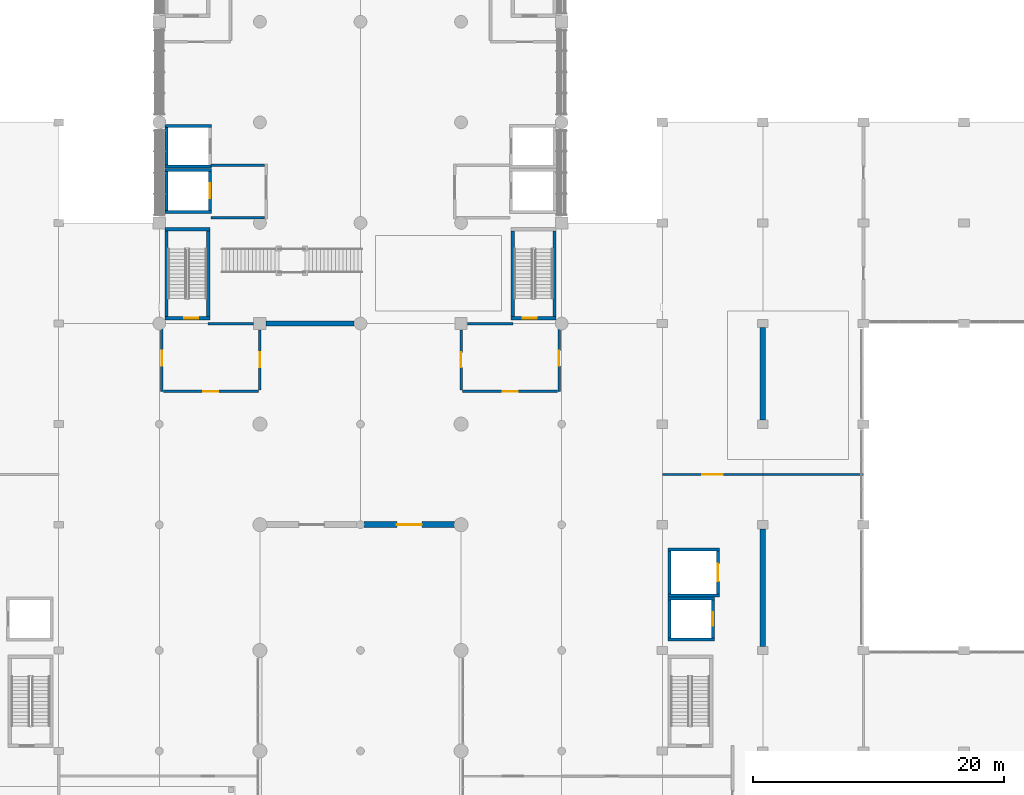
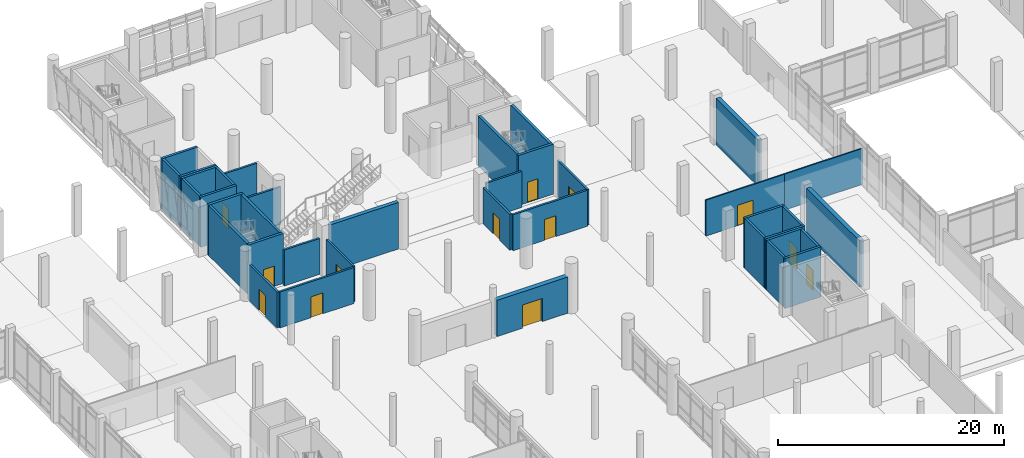
# One storey, part 26 of 42: 38 walls, 13 doors, 13 openings.
"""IFC4 building model written with IfcOpenShell, lengths in metres."""

from ifc_helpers import new_model, si_unit, direction, frame, frame_2d, origin, place, context, subcontext, project, spatial, rectangle, extrude, material, layer, layer_set, type_object, element, fill, save


model = new_model("IFC4")

# Units and contexts
model_context = context("Model", 3, precision=1e-05, world=origin(), true_north=direction((0.0, 1.0)))
body_context = subcontext(model_context, "Body", "Model", "MODEL_VIEW")
ifc_project = project(units=[si_unit("LENGTHUNIT", "METRE"), si_unit("AREAUNIT", "SQUARE_METRE"), si_unit("VOLUMEUNIT", "CUBIC_METRE"), si_unit("PLANEANGLEUNIT", "RADIAN"), si_unit("MASSUNIT", "GRAM", prefix="KILO")], contexts=[model_context])

# Site, building, storey
site_placement = place(None, origin())
site = spatial("IfcSite", under=ifc_project, at=site_placement, CompositionType="ELEMENT")
building_placement = place(site_placement, origin())
building = spatial("IfcBuilding", under=site, at=building_placement, Name="Pecanmere Concourse Central Library", CompositionType="ELEMENT")
storey_placement = place(building_placement, origin())
storey = spatial("IfcBuildingStorey", under=building, at=storey_placement, Name="L01", CompositionType="ELEMENT", Elevation=0.0)

# Wall, opening, door
ifc_material_1 = material(Name="Texas sunset granite ashlar", Category="masonry")
ifc_layer_1 = layer(ifc_material_1, 0.47998046875, Name="EW_GRAN_480")
ifc_layer_set_1 = layer_set([ifc_layer_1], Name="Texas sunset granite ashlar")
wall_type_1 = type_object("IfcWallType", Name="EW_GRAN_480", PredefinedType="STANDARD", material=ifc_layer_set_1)
wall_1_placement = place(storey_placement, frame((88.279052734375, 74.0, 0.0), z_axis=(0.0, 0.0, 1.0), x_axis=(1.0, 0.0, 0.0)))
wall_1 = element("IfcWall", 1, at=wall_1_placement, inside=storey, type_object=wall_type_1, Name="Limestone Facade Wall L01-0007", PredefinedType="STANDARD", context=body_context, shape_type="SweptSolid", body=[
    extrude(rectangle(XDim=7.217041015625, YDim=0.47998046875, at=frame_2d((3.6083984375, 0.0))), origin(), (0.0, 0.0, 1.0), 3.909912109375),
])
opening_1_placement = place(wall_1_placement, frame((2.6083984375, 0.0, 0.0)))
opening_1 = element("IfcOpeningElement", 2, at=opening_1_placement, cuts=wall_1, Name="Opening ED-02", PredefinedType="OPENING", context=body_context, shape_type="SweptSolid", body=[
    extrude(rectangle(XDim=2.0, YDim=2.5, at=frame_2d((1.0, 1.25))), frame((0.0, 0.251953125, 0.0), z_axis=(0.0, -1.0, 0.0), x_axis=(1.0, 0.0, 0.0)), (0.0, 0.0, 1.0), 0.50390625),
])
ifc_material_2 = material(Name="Architectural anodized bronze")
door_type_1 = type_object("IfcDoorType", Name="ED-02", OperationType="DOUBLE_DOOR_SINGLE_SWING", PredefinedType="DOOR", material=ifc_material_2)
door_1_placement = place(opening_1_placement, frame((2.0, 0.0, 0.0), z_axis=(0.0, 0.0, 1.0), x_axis=(-1.0, 0.0, 0.0)))
door_1 = element("IfcDoor", 3, at=door_1_placement, inside=storey, type_object=door_type_1, Name="ED-007", OperationType="DOUBLE_DOOR_SINGLE_SWING", OverallHeight=2.5, OverallWidth=2.0, PredefinedType="DOOR", context=body_context, shape_type="SweptSolid", body=[
    extrude(rectangle(XDim=2.0, YDim=2.5, at=frame_2d((1.0, 1.25))), frame((0.0, 0.02490234375, 0.0), z_axis=(0.0, -1.0, 0.0), x_axis=(1.0, 0.0, 0.0)), (0.0, 0.0, 1.0), 0.050048828125),
])
fill(opening_1, door_1)

ifc_material_3 = material(Name="Fire-rated gypsum board on acoustic steel stud", Category="steel")
ifc_layer_2 = layer(ifc_material_3, 0.135009765625, Name="IW_PART_135")
ifc_layer_set_2 = layer_set([ifc_layer_2], Name="Fire-rated gypsum board on acoustic steel stud")
wall_type_2 = type_object("IfcWallType", Name="IW_PART_135", PredefinedType="PARTITIONING", material=ifc_layer_set_2)
wall_2_placement = place(storey_placement, frame((112.0, 78.0, 0.0), z_axis=(0.0, 0.0, 1.0), x_axis=(1.0, 0.0, 0.0)))
wall_2 = element("IfcWall", 4, at=wall_2_placement, inside=storey, type_object=wall_type_2, Name="Interior Partition L01-0112", PredefinedType="PARTITIONING", context=body_context, shape_type="SweptSolid", body=[
    extrude(rectangle(XDim=8.0, YDim=0.135009765625, at=frame_2d((4.0, 0.0))), origin(), (0.0, 0.0, 1.0), 3.8798828125),
])
opening_2_placement = place(wall_2_placement, frame((3.199951171875, 0.0, 0.0)))
opening_2 = element("IfcOpeningElement", 5, at=opening_2_placement, cuts=wall_2, Name="Opening DT-02", PredefinedType="OPENING", context=body_context, shape_type="SweptSolid", body=[
    extrude(rectangle(XDim=1.60009765625, YDim=2.199951171875, at=frame_2d((0.800048828125, 1.10009765625))), frame((0.0, 0.07958984375, 0.0), z_axis=(0.0, -1.0, 0.0), x_axis=(1.0, 0.0, 0.0)), (0.0, 0.0, 1.0), 0.158935546875),
])
ifc_material_4 = material(Name="Solid white oak architectural joinery")
door_type_2 = type_object("IfcDoorType", Name="DT-02", OperationType="DOUBLE_DOOR_SINGLE_SWING", PredefinedType="DOOR", material=ifc_material_4)
door_2_placement = place(opening_2_placement, origin())
door_2 = element("IfcDoor", 6, at=door_2_placement, inside=storey, type_object=door_type_2, Name="D-176", OperationType="DOUBLE_DOOR_SINGLE_SWING", OverallHeight=2.199951171875, OverallWidth=1.60009765625, PredefinedType="DOOR", context=body_context, shape_type="SweptSolid", body=[
    extrude(rectangle(XDim=1.60009765625, YDim=2.199951171875, at=frame_2d((0.800048828125, 1.10009765625))), frame((0.0, 0.02490234375, 0.0), z_axis=(0.0, -1.0, 0.0), x_axis=(1.0, 0.0, 0.0)), (0.0, 0.0, 1.0), 0.050048828125),
])
fill(opening_2, door_2)

# Walls
wall_3_placement = place(storey_placement, frame((120.02001953125, 78.0, 0.0), z_axis=(0.0, 0.0, 1.0), x_axis=(1.0, 0.0, 0.0)))
element("IfcWall", 7, at=wall_3_placement, inside=storey, type_object=wall_type_2, Name="Interior Partition L01-0113", PredefinedType="PARTITIONING", context=body_context, shape_type="SweptSolid", body=[
    extrude(rectangle(XDim=7.97998046875, YDim=0.135009765625, at=frame_2d((3.989990234375, 0.0))), origin(), (0.0, 0.0, 1.0), 3.8798828125),
])
ifc_material_5 = material(Name="Fire-rated gypsum board on acoustic steel stud", Category="steel")
ifc_layer_3 = layer(ifc_material_5, 0.199951171875, Name="IW_PART_200")
ifc_layer_set_3 = layer_set([ifc_layer_3], Name="Fire-rated gypsum board on acoustic steel stud")
wall_type_3 = type_object("IfcWallType", Name="IW_PART_200", PredefinedType="PARTITIONING", material=ifc_layer_set_3)
for number, where, z_axis, x_axis, name in (
    (8, (76.10009765625, 98.39990234375, 0.0), (0.0, 0.0, 1.0), (1.0, 0.0, 0.0), "Firefighting Lobby Wall W-L01-S"),
    (9, (76.10009765625, 102.60009765625, 0.0), (0.0, 0.0, 1.0), (1.0, 0.0, 0.0), "Firefighting Lobby Wall W-L01-N"),
):
    element("IfcWall", number, at=place(storey_placement, frame(where, z_axis=z_axis, x_axis=x_axis)), inside=storey, type_object=wall_type_3, Name=name, PredefinedType="PARTITIONING", context=body_context, shape_type="SweptSolid", body=[
        extrude(rectangle(XDim=4.27978515625, YDim=0.199951171875, at=frame_2d((2.139892578125, 0.0))), origin(), (0.0, 0.0, 1.0), 4.050048828125),
    ])

# Wall, opening, door
wall_4_placement = place(storey_placement, frame((72.199951171875, 84.60009765625, 0.0), z_axis=(0.0, 0.0, 1.0), x_axis=(0.0, 1.0, 0.0)))
wall_4 = element("IfcWall", 10, at=wall_4_placement, inside=storey, type_object=wall_type_3, Name="Interior Partition L01-0072", PredefinedType="PARTITIONING", context=body_context, shape_type="SweptSolid", body=[
    extrude(rectangle(XDim=5.27978515625, YDim=0.199951171875, at=frame_2d((2.639892578125, 0.0))), origin(), (0.0, 0.0, 1.0), 3.8798828125),
])
opening_3_placement = place(wall_4_placement, frame((2.0400390625, 0.0, 0.0)))
opening_3 = element("IfcOpeningElement", 11, at=opening_3_placement, cuts=wall_4, Name="Opening FD-04", PredefinedType="OPENING", context=body_context, shape_type="SweptSolid", body=[
    extrude(rectangle(XDim=1.199951171875, YDim=2.25, at=frame_2d((0.60009765625, 1.125))), frame((0.0, 0.11181640625, 0.0), z_axis=(0.0, -1.0, 0.0), x_axis=(1.0, 0.0, 0.0)), (0.0, 0.0, 1.0), 0.223876953125),
])
ifc_material_6 = material(Name="Painted architectural steel ASTM A36", Category="steel")
door_type_3 = type_object("IfcDoorType", Name="FD-04", OperationType="SINGLE_SWING_LEFT", PredefinedType="DOOR", material=ifc_material_6)
door_3_placement = place(opening_3_placement, origin())
door_3 = element("IfcDoor", 12, at=door_3_placement, inside=storey, type_object=door_type_3, Name="D-154", OperationType="SINGLE_SWING_LEFT", OverallHeight=2.25, OverallWidth=1.199951171875, PredefinedType="DOOR", context=body_context, shape_type="SweptSolid", body=[
    extrude(rectangle(XDim=1.199951171875, YDim=2.25, at=frame_2d((0.60009765625, 1.125))), frame((0.0, 0.02490234375, 0.0), z_axis=(0.0, -1.0, 0.0), x_axis=(1.0, 0.0, 0.0)), (0.0, 0.0, 1.0), 0.050048828125),
])
fill(opening_3, door_3)

wall_5_placement = place(storey_placement, frame((72.320068359375, 84.60009765625, 0.0), z_axis=(0.0, 0.0, 1.0), x_axis=(1.0, 0.0, 0.0)))
wall_5 = element("IfcWall", 13, at=wall_5_placement, inside=storey, type_object=wall_type_3, Name="Interior Partition L01-0073", PredefinedType="PARTITIONING", context=body_context, shape_type="SweptSolid", body=[
    extrude(rectangle(XDim=7.559814453125, YDim=0.199951171875, at=frame_2d((3.77978515625, 0.0))), origin(), (0.0, 0.0, 1.0), 3.8798828125),
])
opening_4_placement = place(wall_5_placement, frame((3.179931640625, 0.0, 0.0)))
opening_4 = element("IfcOpeningElement", 14, at=opening_4_placement, cuts=wall_5, Name="Opening FD-04", PredefinedType="OPENING", context=body_context, shape_type="SweptSolid", body=[
    extrude(rectangle(XDim=1.199951171875, YDim=2.25, at=frame_2d((0.60009765625, 1.125))), frame((0.0, 0.11181640625, 0.0), z_axis=(0.0, -1.0, 0.0), x_axis=(1.0, 0.0, 0.0)), (0.0, 0.0, 1.0), 0.223876953125),
])
door_4_placement = place(opening_4_placement, frame((1.199951171875, 0.0, 0.0), z_axis=(0.0, 0.0, 1.0), x_axis=(-1.0, 0.0, 0.0)))
door_4 = element("IfcDoor", 15, at=door_4_placement, inside=storey, type_object=door_type_3, Name="D-155", OperationType="SINGLE_SWING_LEFT", OverallHeight=2.25, OverallWidth=1.199951171875, PredefinedType="DOOR", context=body_context, shape_type="SweptSolid", body=[
    extrude(rectangle(XDim=1.199951171875, YDim=2.25, at=frame_2d((0.60009765625, 1.125))), frame((0.0, 0.02490234375, 0.0), z_axis=(0.0, -1.0, 0.0), x_axis=(1.0, 0.0, 0.0)), (0.0, 0.0, 1.0), 0.050048828125),
])
fill(opening_4, door_4)

wall_6_placement = place(storey_placement, frame((80.0, 84.719970703125, 0.0), z_axis=(0.0, 0.0, 1.0), x_axis=(0.0, 1.0, 0.0)))
wall_6 = element("IfcWall", 16, at=wall_6_placement, inside=storey, type_object=wall_type_3, Name="Interior Partition L01-0074", PredefinedType="PARTITIONING", context=body_context, shape_type="SweptSolid", body=[
    extrude(rectangle(XDim=4.780029296875, YDim=0.199951171875, at=frame_2d((2.39013671875, 0.0))), origin(), (0.0, 0.0, 1.0), 3.8798828125),
])
opening_5_placement = place(wall_6_placement, frame((1.7900390625, 0.0, 0.0)))
opening_5 = element("IfcOpeningElement", 17, at=opening_5_placement, cuts=wall_6, Name="Opening FD-04", PredefinedType="OPENING", context=body_context, shape_type="SweptSolid", body=[
    extrude(rectangle(XDim=1.199951171875, YDim=2.25, at=frame_2d((0.60009765625, 1.125))), frame((0.0, 0.11181640625, 0.0), z_axis=(0.0, -1.0, 0.0), x_axis=(1.0, 0.0, 0.0)), (0.0, 0.0, 1.0), 0.223876953125),
])
door_5_placement = place(opening_5_placement, origin())
door_5 = element("IfcDoor", 18, at=door_5_placement, inside=storey, type_object=door_type_3, Name="D-156", OperationType="SINGLE_SWING_LEFT", OverallHeight=2.25, OverallWidth=1.199951171875, PredefinedType="DOOR", context=body_context, shape_type="SweptSolid", body=[
    extrude(rectangle(XDim=1.199951171875, YDim=2.25, at=frame_2d((0.60009765625, 1.125))), frame((0.0, 0.02490234375, 0.0), z_axis=(0.0, -1.0, 0.0), x_axis=(1.0, 0.0, 0.0)), (0.0, 0.0, 1.0), 0.050048828125),
])
fill(opening_5, door_5)

# Wall
wall_7_placement = place(storey_placement, frame((75.8798828125, 90.0, 0.0), z_axis=(0.0, 0.0, 1.0), x_axis=(1.0, 0.0, 0.0)))
element("IfcWall", 19, at=wall_7_placement, inside=storey, type_object=wall_type_3, Name="Interior Partition L01-0075", PredefinedType="PARTITIONING", context=body_context, shape_type="SweptSolid", body=[
    extrude(rectangle(XDim=3.6201171875, YDim=0.199951171875, at=frame_2d((1.81005859375, 0.0))), origin(), (0.0, 0.0, 1.0), 3.8798828125),
])

# Wall, opening, door
wall_8_placement = place(storey_placement, frame((103.800048828125, 84.60009765625, 0.0), z_axis=(0.0, 0.0, 1.0), x_axis=(0.0, 1.0, 0.0)))
wall_8 = element("IfcWall", 20, at=wall_8_placement, inside=storey, type_object=wall_type_3, Name="Interior Partition L01-0076", PredefinedType="PARTITIONING", context=body_context, shape_type="SweptSolid", body=[
    extrude(rectangle(XDim=5.27978515625, YDim=0.199951171875, at=frame_2d((2.639892578125, 0.0))), origin(), (0.0, 0.0, 1.0), 3.8798828125),
])
opening_6_placement = place(wall_8_placement, frame((2.0400390625, 0.0, 0.0)))
opening_6 = element("IfcOpeningElement", 21, at=opening_6_placement, cuts=wall_8, Name="Opening FD-04", PredefinedType="OPENING", context=body_context, shape_type="SweptSolid", body=[
    extrude(rectangle(XDim=1.199951171875, YDim=2.25, at=frame_2d((0.60009765625, 1.125))), frame((0.0, 0.11181640625, 0.0), z_axis=(0.0, -1.0, 0.0), x_axis=(1.0, 0.0, 0.0)), (0.0, 0.0, 1.0), 0.223876953125),
])
door_6_placement = place(opening_6_placement, frame((1.199951171875, 0.0, 0.0), z_axis=(0.0, 0.0, 1.0), x_axis=(-1.0, 0.0, 0.0)))
door_6 = element("IfcDoor", 22, at=door_6_placement, inside=storey, type_object=door_type_3, Name="D-157", OperationType="SINGLE_SWING_LEFT", OverallHeight=2.25, OverallWidth=1.199951171875, PredefinedType="DOOR", context=body_context, shape_type="SweptSolid", body=[
    extrude(rectangle(XDim=1.199951171875, YDim=2.25, at=frame_2d((0.60009765625, 1.125))), frame((0.0, 0.02490234375, 0.0), z_axis=(0.0, -1.0, 0.0), x_axis=(1.0, 0.0, 0.0)), (0.0, 0.0, 1.0), 0.050048828125),
])
fill(opening_6, door_6)

wall_9_placement = place(storey_placement, frame((96.1201171875, 84.60009765625, 0.0), z_axis=(0.0, 0.0, 1.0), x_axis=(1.0, 0.0, 0.0)))
wall_9 = element("IfcWall", 23, at=wall_9_placement, inside=storey, type_object=wall_type_3, Name="Interior Partition L01-0077", PredefinedType="PARTITIONING", context=body_context, shape_type="SweptSolid", body=[
    extrude(rectangle(XDim=7.559814453125, YDim=0.199951171875, at=frame_2d((3.77978515625, 0.0))), origin(), (0.0, 0.0, 1.0), 3.8798828125),
])
opening_7_placement = place(wall_9_placement, frame((3.179931640625, 0.0, 0.0)))
opening_7 = element("IfcOpeningElement", 24, at=opening_7_placement, cuts=wall_9, Name="Opening FD-04", PredefinedType="OPENING", context=body_context, shape_type="SweptSolid", body=[
    extrude(rectangle(XDim=1.199951171875, YDim=2.25, at=frame_2d((0.60009765625, 1.125))), frame((0.0, 0.11181640625, 0.0), z_axis=(0.0, -1.0, 0.0), x_axis=(1.0, 0.0, 0.0)), (0.0, 0.0, 1.0), 0.223876953125),
])
door_7_placement = place(opening_7_placement, origin())
door_7 = element("IfcDoor", 25, at=door_7_placement, inside=storey, type_object=door_type_3, Name="D-158", OperationType="SINGLE_SWING_LEFT", OverallHeight=2.25, OverallWidth=1.199951171875, PredefinedType="DOOR", context=body_context, shape_type="SweptSolid", body=[
    extrude(rectangle(XDim=1.199951171875, YDim=2.25, at=frame_2d((0.60009765625, 1.125))), frame((0.0, 0.02490234375, 0.0), z_axis=(0.0, -1.0, 0.0), x_axis=(1.0, 0.0, 0.0)), (0.0, 0.0, 1.0), 0.050048828125),
])
fill(opening_7, door_7)

wall_10_placement = place(storey_placement, frame((96.0, 84.719970703125, 0.0), z_axis=(0.0, 0.0, 1.0), x_axis=(0.0, 1.0, 0.0)))
wall_10 = element("IfcWall", 26, at=wall_10_placement, inside=storey, type_object=wall_type_3, Name="Interior Partition L01-0078", PredefinedType="PARTITIONING", context=body_context, shape_type="SweptSolid", body=[
    extrude(rectangle(XDim=4.780029296875, YDim=0.199951171875, at=frame_2d((2.39013671875, 0.0))), origin(), (0.0, 0.0, 1.0), 3.8798828125),
])
opening_8_placement = place(wall_10_placement, frame((1.7900390625, 0.0, 0.0)))
opening_8 = element("IfcOpeningElement", 27, at=opening_8_placement, cuts=wall_10, Name="Opening FD-04", PredefinedType="OPENING", context=body_context, shape_type="SweptSolid", body=[
    extrude(rectangle(XDim=1.199951171875, YDim=2.25, at=frame_2d((0.60009765625, 1.125))), frame((0.0, 0.11181640625, 0.0), z_axis=(0.0, -1.0, 0.0), x_axis=(1.0, 0.0, 0.0)), (0.0, 0.0, 1.0), 0.223876953125),
])
door_8_placement = place(opening_8_placement, frame((1.199951171875, 0.0, 0.0), z_axis=(0.0, 0.0, 1.0), x_axis=(-1.0, 0.0, 0.0)))
door_8 = element("IfcDoor", 28, at=door_8_placement, inside=storey, type_object=door_type_3, Name="D-159", OperationType="SINGLE_SWING_LEFT", OverallHeight=2.25, OverallWidth=1.199951171875, PredefinedType="DOOR", context=body_context, shape_type="SweptSolid", body=[
    extrude(rectangle(XDim=1.199951171875, YDim=2.25, at=frame_2d((0.60009765625, 1.125))), frame((0.0, 0.02490234375, 0.0), z_axis=(0.0, -1.0, 0.0), x_axis=(1.0, 0.0, 0.0)), (0.0, 0.0, 1.0), 0.050048828125),
])
fill(opening_8, door_8)

# Walls
wall_11_placement = place(storey_placement, frame((96.5, 90.0, 0.0), z_axis=(0.0, 0.0, 1.0), x_axis=(1.0, 0.0, 0.0)))
element("IfcWall", 29, at=wall_11_placement, inside=storey, type_object=wall_type_3, Name="Interior Partition L01-0079", PredefinedType="PARTITIONING", context=body_context, shape_type="SweptSolid", body=[
    extrude(rectangle(XDim=3.6201171875, YDim=0.199951171875, at=frame_2d((1.81005859375, 0.0))), origin(), (0.0, 0.0, 1.0), 3.8798828125),
])
ifc_material_7 = material(Name="Concrete C40/50", Category="concrete")
ifc_layer_4 = layer(ifc_material_7, 0.3798828125, Name="WALL_SHR_380")
ifc_layer_set_4 = layer_set([ifc_layer_4], Name="Concrete C40/50")
wall_type_4 = type_object("IfcWallType", Name="WALL_SHR_380", PredefinedType="SHEAR", material=ifc_layer_set_4)
wall_12_placement = place(storey_placement, frame((80.489990234375, 90.0, 0.0), z_axis=(0.0, 0.0, 1.0), x_axis=(1.0, 0.0, 0.0)))
element("IfcWall", 30, at=wall_12_placement, inside=storey, type_object=wall_type_4, Name="Lateral Shear Wall L01-026", PredefinedType="SHEAR", context=body_context, shape_type="SweptSolid", body=[
    extrude(rectangle(XDim=7.0, YDim=0.3798828125, at=frame_2d((3.5, 0.0))), origin(), (0.0, 0.0, 1.0), 5.030029296875),
])
ifc_material_8 = material(Name="Concrete C40/50", Category="concrete")
ifc_layer_5 = layer(ifc_material_8, 0.419921875, Name="WALL_SHR_420")
ifc_layer_set_5 = layer_set([ifc_layer_5], Name="Concrete C40/50")
wall_type_5 = type_object("IfcWallType", Name="WALL_SHR_420", PredefinedType="SHEAR", material=ifc_layer_set_5)
wall_13_placement = place(storey_placement, frame((120.0, 64.330078125, 0.0), z_axis=(0.0, 0.0, 1.0), x_axis=(0.0, 1.0, 0.0)))
element("IfcWall", 31, at=wall_13_placement, inside=storey, type_object=wall_type_5, Name="Lateral Shear Wall L01-002", PredefinedType="SHEAR", context=body_context, shape_type="SweptSolid", body=[
    extrude(rectangle(XDim=9.33984375, YDim=0.419921875, at=frame_2d((4.669921875, 0.0))), origin(), (0.0, 0.0, 1.0), 5.030029296875),
])
wall_14_placement = place(storey_placement, frame((120.0, 82.330078125, 0.0), z_axis=(0.0, 0.0, 1.0), x_axis=(0.0, 1.0, 0.0)))
element("IfcWall", 32, at=wall_14_placement, inside=storey, type_object=wall_type_5, Name="Lateral Shear Wall L01-008", PredefinedType="SHEAR", context=body_context, shape_type="SweptSolid", body=[
    extrude(rectangle(XDim=7.33984375, YDim=0.419921875, at=frame_2d((3.669921875, 0.0))), origin(), (0.0, 0.0, 1.0), 5.030029296875),
])
ifc_material_9 = material(Name="Concrete C40/50", Category="concrete")
ifc_layer_6 = layer(ifc_material_9, 0.239990234375, Name="WALL_SLD_240")
ifc_layer_set_6 = layer_set([ifc_layer_6], Name="Concrete C40/50")
wall_type_6 = type_object("IfcWallType", Name="WALL_SLD_240", PredefinedType="SOLIDWALL", material=ifc_layer_set_6)
for number, where, z_axis, x_axis, name in (
    (33, (72.4599609375, 98.8798828125, 0.0), (0.0, 0.0, 1.0), (1.0, 0.0, 0.0), "Hoistway Wall LF-01 L01-S"),
    (34, (72.4599609375, 102.219970703125, 0.0), (0.0, 0.0, 1.0), (1.0, 0.0, 0.0), "Hoistway Wall LF-01 L01-N"),
):
    element("IfcWall", number, at=place(storey_placement, frame(where, z_axis=z_axis, x_axis=x_axis)), inside=storey, type_object=wall_type_6, Name=name, PredefinedType="SOLIDWALL", context=body_context, shape_type="SweptSolid", body=[
        extrude(rectangle(XDim=3.679931640625, YDim=0.239990234375, at=frame_2d((1.83984375, 0.0))), origin(), (0.0, 0.0, 1.0), 5.39990234375),
    ])
wall_15_placement = place(storey_placement, frame((72.580078125, 99.0, 0.0), z_axis=(0.0, 0.0, 1.0), x_axis=(0.0, 1.0, 0.0)))
element("IfcWall", 35, at=wall_15_placement, inside=storey, type_object=wall_type_6, Name="Hoistway Wall LF-01 L01-W", PredefinedType="SOLIDWALL", context=body_context, shape_type="SweptSolid", body=[
    extrude(rectangle(XDim=3.10009765625, YDim=0.239990234375, at=frame_2d((1.550048828125, 0.0))), origin(), (0.0, 0.0, 1.0), 5.39990234375),
])

# Wall, opening, door
wall_16_placement = place(storey_placement, frame((76.02001953125, 99.0, 0.0), z_axis=(0.0, 0.0, 1.0), x_axis=(0.0, 1.0, 0.0)))
wall_16 = element("IfcWall", 36, at=wall_16_placement, inside=storey, type_object=wall_type_6, Name="Hoistway Wall LF-01 L01-E", PredefinedType="SOLIDWALL", context=body_context, shape_type="SweptSolid", body=[
    extrude(rectangle(XDim=3.10009765625, YDim=0.239990234375, at=frame_2d((1.550048828125, 0.0))), origin(), (0.0, 0.0, 1.0), 5.39990234375),
])
opening_9_placement = place(wall_16_placement, frame((0.949951171875, 0.0, 0.0)))
opening_9 = element("IfcOpeningElement", 37, at=opening_9_placement, cuts=wall_16, Name="Opening LD-02", PredefinedType="OPENING", context=body_context, shape_type="SweptSolid", body=[
    extrude(rectangle(XDim=1.199951171875, YDim=2.199951171875, at=frame_2d((0.60009765625, 1.10009765625))), frame((0.0, 0.1318359375, 0.0), z_axis=(0.0, -1.0, 0.0), x_axis=(1.0, 0.0, 0.0)), (0.0, 0.0, 1.0), 0.263916015625),
])
ifc_material_10 = material(Name="Brushed stainless steel Grade 316", Category="steel")
door_type_4 = type_object("IfcDoorType", Name="LD-02", OperationType="DOUBLE_DOOR_SLIDING", PredefinedType="DOOR", material=ifc_material_10)
door_9_placement = place(opening_9_placement, origin())
door_9 = element("IfcDoor", 38, at=door_9_placement, inside=storey, type_object=door_type_4, Name="LD-LF-01-L01", OperationType="DOUBLE_DOOR_SLIDING", OverallHeight=2.199951171875, OverallWidth=1.199951171875, PredefinedType="DOOR", context=body_context, shape_type="SweptSolid", body=[
    extrude(rectangle(XDim=1.199951171875, YDim=2.199951171875, at=frame_2d((0.60009765625, 1.10009765625))), frame((0.0, 0.02490234375, 0.0), z_axis=(0.0, -1.0, 0.0), x_axis=(1.0, 0.0, 0.0)), (0.0, 0.0, 1.0), 0.050048828125),
])
fill(opening_9, door_9)

# Walls
for number, where, z_axis, x_axis, name in (
    (39, (72.4599609375, 102.47998046875, 0.0), (0.0, 0.0, 1.0), (1.0, 0.0, 0.0), "Hoistway Wall LP-01 L01-S"),
    (40, (72.4599609375, 105.719970703125, 0.0), (0.0, 0.0, 1.0), (1.0, 0.0, 0.0), "Hoistway Wall LP-01 L01-N"),
):
    element("IfcWall", number, at=place(storey_placement, frame(where, z_axis=z_axis, x_axis=x_axis)), inside=storey, type_object=wall_type_6, Name=name, PredefinedType="SOLIDWALL", context=body_context, shape_type="SweptSolid", body=[
        extrude(rectangle(XDim=3.679931640625, YDim=0.239990234375, at=frame_2d((1.83984375, 0.0))), origin(), (0.0, 0.0, 1.0), 5.39990234375),
    ])
wall_17_placement = place(storey_placement, frame((72.580078125, 102.60009765625, 0.0), z_axis=(0.0, 0.0, 1.0), x_axis=(0.0, 1.0, 0.0)))
element("IfcWall", 41, at=wall_17_placement, inside=storey, type_object=wall_type_6, Name="Hoistway Wall LP-01 L01-W", PredefinedType="SOLIDWALL", context=body_context, shape_type="SweptSolid", body=[
    extrude(rectangle(XDim=3.0, YDim=0.239990234375, at=frame_2d((1.5, 0.0))), origin(), (0.0, 0.0, 1.0), 5.39990234375),
])
for number, where, z_axis, x_axis, name in (
    (42, (112.4599609375, 64.8798828125, 0.0), (0.0, 0.0, 1.0), (1.0, 0.0, 0.0), "Hoistway Wall LP-03 L01-S"),
    (43, (112.4599609375, 68.1201171875, 0.0), (0.0, 0.0, 1.0), (1.0, 0.0, 0.0), "Hoistway Wall LP-03 L01-N"),
):
    element("IfcWall", number, at=place(storey_placement, frame(where, z_axis=z_axis, x_axis=x_axis)), inside=storey, type_object=wall_type_6, Name=name, PredefinedType="SOLIDWALL", context=body_context, shape_type="SweptSolid", body=[
        extrude(rectangle(XDim=3.679931640625, YDim=0.239990234375, at=frame_2d((1.83984375, 0.0))), origin(), (0.0, 0.0, 1.0), 5.39990234375),
    ])
wall_18_placement = place(storey_placement, frame((112.580078125, 65.0, 0.0), z_axis=(0.0, 0.0, 1.0), x_axis=(0.0, 1.0, 0.0)))
element("IfcWall", 44, at=wall_18_placement, inside=storey, type_object=wall_type_6, Name="Hoistway Wall LP-03 L01-W", PredefinedType="SOLIDWALL", context=body_context, shape_type="SweptSolid", body=[
    extrude(rectangle(XDim=3.0, YDim=0.239990234375, at=frame_2d((1.5, 0.0))), origin(), (0.0, 0.0, 1.0), 5.39990234375),
])

# Wall, opening, door
wall_19_placement = place(storey_placement, frame((116.02001953125, 65.0, 0.0), z_axis=(0.0, 0.0, 1.0), x_axis=(0.0, 1.0, 0.0)))
wall_19 = element("IfcWall", 45, at=wall_19_placement, inside=storey, type_object=wall_type_6, Name="Hoistway Wall LP-03 L01-E", PredefinedType="SOLIDWALL", context=body_context, shape_type="SweptSolid", body=[
    extrude(rectangle(XDim=3.0, YDim=0.239990234375, at=frame_2d((1.5, 0.0))), origin(), (0.0, 0.0, 1.0), 5.39990234375),
])
opening_10_placement = place(wall_19_placement, frame((0.949951171875, 0.0, 0.0)))
opening_10 = element("IfcOpeningElement", 46, at=opening_10_placement, cuts=wall_19, Name="Opening LD-01", PredefinedType="OPENING", context=body_context, shape_type="SweptSolid", body=[
    extrude(rectangle(XDim=1.10009765625, YDim=2.199951171875, at=frame_2d((0.550048828125, 1.10009765625))), frame((0.0, 0.1318359375, 0.0), z_axis=(0.0, -1.0, 0.0), x_axis=(1.0, 0.0, 0.0)), (0.0, 0.0, 1.0), 0.263916015625),
])
ifc_material_11 = material(Name="Brushed stainless steel Grade 316", Category="steel")
door_type_5 = type_object("IfcDoorType", Name="LD-01", OperationType="DOUBLE_DOOR_SLIDING", PredefinedType="DOOR", material=ifc_material_11)
door_10_placement = place(opening_10_placement, origin())
door_10 = element("IfcDoor", 47, at=door_10_placement, inside=storey, type_object=door_type_5, Name="LD-LP-03-L01", OperationType="DOUBLE_DOOR_SLIDING", OverallHeight=2.199951171875, OverallWidth=1.10009765625, PredefinedType="DOOR", context=body_context, shape_type="SweptSolid", body=[
    extrude(rectangle(XDim=1.10009765625, YDim=2.199951171875, at=frame_2d((0.550048828125, 1.10009765625))), frame((0.0, 0.02490234375, 0.0), z_axis=(0.0, -1.0, 0.0), x_axis=(1.0, 0.0, 0.0)), (0.0, 0.0, 1.0), 0.050048828125),
])
fill(opening_10, door_10)

# Walls
for number, where, z_axis, x_axis, name in (
    (48, (112.4599609375, 68.3798828125, 0.0), (0.0, 0.0, 1.0), (1.0, 0.0, 0.0), "Hoistway Wall LS-01 L01-S"),
    (49, (112.4599609375, 72.02001953125, 0.0), (0.0, 0.0, 1.0), (1.0, 0.0, 0.0), "Hoistway Wall LS-01 L01-N"),
):
    element("IfcWall", number, at=place(storey_placement, frame(where, z_axis=z_axis, x_axis=x_axis)), inside=storey, type_object=wall_type_6, Name=name, PredefinedType="SOLIDWALL", context=body_context, shape_type="SweptSolid", body=[
        extrude(rectangle(XDim=4.080078125, YDim=0.239990234375, at=frame_2d((2.0400390625, 0.0))), origin(), (0.0, 0.0, 1.0), 5.39990234375),
    ])
wall_20_placement = place(storey_placement, frame((112.580078125, 68.5, 0.0), z_axis=(0.0, 0.0, 1.0), x_axis=(0.0, 1.0, 0.0)))
element("IfcWall", 50, at=wall_20_placement, inside=storey, type_object=wall_type_6, Name="Hoistway Wall LS-01 L01-W", PredefinedType="SOLIDWALL", context=body_context, shape_type="SweptSolid", body=[
    extrude(rectangle(XDim=3.39990234375, YDim=0.239990234375, at=frame_2d((1.699951171875, 0.0))), origin(), (0.0, 0.0, 1.0), 5.39990234375),
])

# Wall, opening, door
wall_21_placement = place(storey_placement, frame((116.419921875, 68.5, 0.0), z_axis=(0.0, 0.0, 1.0), x_axis=(0.0, 1.0, 0.0)))
wall_21 = element("IfcWall", 51, at=wall_21_placement, inside=storey, type_object=wall_type_6, Name="Hoistway Wall LS-01 L01-E", PredefinedType="SOLIDWALL", context=body_context, shape_type="SweptSolid", body=[
    extrude(rectangle(XDim=3.39990234375, YDim=0.239990234375, at=frame_2d((1.699951171875, 0.0))), origin(), (0.0, 0.0, 1.0), 5.39990234375),
])
opening_11_placement = place(wall_21_placement, frame((1.0, 0.0, 0.0)))
opening_11 = element("IfcOpeningElement", 52, at=opening_11_placement, cuts=wall_21, Name="Opening LD-03", PredefinedType="OPENING", context=body_context, shape_type="SweptSolid", body=[
    extrude(rectangle(XDim=1.39990234375, YDim=2.300048828125, at=frame_2d((0.699951171875, 1.14990234375))), frame((0.0, 0.1318359375, 0.0), z_axis=(0.0, -1.0, 0.0), x_axis=(1.0, 0.0, 0.0)), (0.0, 0.0, 1.0), 0.263916015625),
])
ifc_material_12 = material(Name="Brushed stainless steel Grade 316", Category="steel")
door_type_6 = type_object("IfcDoorType", Name="LD-03", OperationType="DOUBLE_DOOR_SLIDING", PredefinedType="DOOR", material=ifc_material_12)
door_11_placement = place(opening_11_placement, origin())
door_11 = element("IfcDoor", 53, at=door_11_placement, inside=storey, type_object=door_type_6, Name="LD-LS-01-L01", OperationType="DOUBLE_DOOR_SLIDING", OverallHeight=2.300048828125, OverallWidth=1.39990234375, PredefinedType="DOOR", context=body_context, shape_type="SweptSolid", body=[
    extrude(rectangle(XDim=1.39990234375, YDim=2.300048828125, at=frame_2d((0.699951171875, 1.14990234375))), frame((0.0, 0.02490234375, 0.0), z_axis=(0.0, -1.0, 0.0), x_axis=(1.0, 0.0, 0.0)), (0.0, 0.0, 1.0), 0.050048828125),
])
fill(opening_11, door_11)

ifc_material_13 = material(Name="Concrete C40/50", Category="concrete")
ifc_layer_7 = layer(ifc_material_13, 0.260009765625, Name="WALL_SLD_260")
ifc_layer_set_7 = layer_set([ifc_layer_7], Name="Concrete C40/50")
wall_type_7 = type_object("IfcWallType", Name="WALL_SLD_260", PredefinedType="SOLIDWALL", material=ifc_layer_set_7)
wall_22_placement = place(storey_placement, frame((72.43994140625, 90.419921875, 0.0), z_axis=(0.0, 0.0, 1.0), x_axis=(1.0, 0.0, 0.0)))
wall_22 = element("IfcWall", 54, at=wall_22_placement, inside=storey, type_object=wall_type_7, Name="Core C1 South Wall L01", PredefinedType="SOLIDWALL", context=body_context, shape_type="SweptSolid", body=[
    extrude(rectangle(XDim=3.580078125, YDim=0.260009765625, at=frame_2d((1.7900390625, 0.0))), origin(), (0.0, 0.0, 1.0), 5.39990234375),
])
opening_12_placement = place(wall_22_placement, frame((1.56005859375, 0.0, 0.0)))
opening_12 = element("IfcOpeningElement", 55, at=opening_12_placement, cuts=wall_22, Name="Opening FD-01", PredefinedType="OPENING", context=body_context, shape_type="SweptSolid", body=[
    extrude(rectangle(XDim=1.10009765625, YDim=2.199951171875, at=frame_2d((0.550048828125, 1.10009765625))), frame((0.0, 0.14208984375, 0.0), z_axis=(0.0, -1.0, 0.0), x_axis=(1.0, 0.0, 0.0)), (0.0, 0.0, 1.0), 0.283935546875),
])
ifc_material_14 = material(Name="Painted architectural steel ASTM A36", Category="steel")
door_type_7 = type_object("IfcDoorType", Name="FD-01", OperationType="SINGLE_SWING_LEFT", PredefinedType="DOOR", material=ifc_material_14)
door_12_placement = place(opening_12_placement, frame((1.10009765625, 0.0, 0.0), z_axis=(0.0, 0.0, 1.0), x_axis=(-1.0, 0.0, 0.0)))
door_12 = element("IfcDoor", 56, at=door_12_placement, inside=storey, type_object=door_type_7, Name="D-002", OperationType="SINGLE_SWING_LEFT", OverallHeight=2.199951171875, OverallWidth=1.10009765625, PredefinedType="DOOR", context=body_context, shape_type="SweptSolid", body=[
    extrude(rectangle(XDim=1.10009765625, YDim=2.199951171875, at=frame_2d((0.550048828125, 1.10009765625))), frame((0.0, 0.02490234375, 0.0), z_axis=(0.0, -1.0, 0.0), x_axis=(1.0, 0.0, 0.0)), (0.0, 0.0, 1.0), 0.050048828125),
])
fill(opening_12, door_12)

# Walls
wall_23_placement = place(storey_placement, frame((72.43994140625, 97.5, 0.0), z_axis=(0.0, 0.0, 1.0), x_axis=(1.0, 0.0, 0.0)))
element("IfcWall", 57, at=wall_23_placement, inside=storey, type_object=wall_type_7, Name="Core C1 North Wall L01", PredefinedType="SOLIDWALL", context=body_context, shape_type="SweptSolid", body=[
    extrude(rectangle(XDim=3.580078125, YDim=0.260009765625, at=frame_2d((1.7900390625, 0.0))), origin(), (0.0, 0.0, 1.0), 5.39990234375),
])
for number, where, z_axis, x_axis, name in (
    (58, (72.570068359375, 90.550048828125, 0.0), (0.0, 0.0, 1.0), (0.0, 1.0, 0.0), "Core C1 W Wall L01"),
    (59, (75.889892578125, 90.550048828125, 0.0), (0.0, 0.0, 1.0), (0.0, 1.0, 0.0), "Core C1 E Wall L01"),
):
    element("IfcWall", number, at=place(storey_placement, frame(where, z_axis=z_axis, x_axis=x_axis)), inside=storey, type_object=wall_type_7, Name=name, PredefinedType="SOLIDWALL", context=body_context, shape_type="SweptSolid", body=[
        extrude(rectangle(XDim=6.820068359375, YDim=0.260009765625, at=frame_2d((3.41015625, 0.0))), origin(), (0.0, 0.0, 1.0), 5.39990234375),
    ])

# Wall, opening, door
wall_24_placement = place(storey_placement, frame((99.97998046875, 90.419921875, 0.0), z_axis=(0.0, 0.0, 1.0), x_axis=(1.0, 0.0, 0.0)))
wall_24 = element("IfcWall", 60, at=wall_24_placement, inside=storey, type_object=wall_type_7, Name="Core C2 South Wall L01", PredefinedType="SOLIDWALL", context=body_context, shape_type="SweptSolid", body=[
    extrude(rectangle(XDim=3.580078125, YDim=0.260009765625, at=frame_2d((1.7900390625, 0.0))), origin(), (0.0, 0.0, 1.0), 5.39990234375),
])
opening_13_placement = place(wall_24_placement, frame((0.919921875, 0.0, 0.0)))
opening_13 = element("IfcOpeningElement", 61, at=opening_13_placement, cuts=wall_24, Name="Opening FD-02", PredefinedType="OPENING", context=body_context, shape_type="SweptSolid", body=[
    extrude(rectangle(XDim=1.10009765625, YDim=2.199951171875, at=frame_2d((0.550048828125, 1.10009765625))), frame((0.0, 0.14208984375, 0.0), z_axis=(0.0, -1.0, 0.0), x_axis=(1.0, 0.0, 0.0)), (0.0, 0.0, 1.0), 0.283935546875),
])
ifc_material_15 = material(Name="Painted architectural steel ASTM A36", Category="steel")
door_type_8 = type_object("IfcDoorType", Name="FD-02", OperationType="SINGLE_SWING_RIGHT", PredefinedType="DOOR", material=ifc_material_15)
door_13_placement = place(opening_13_placement, frame((1.10009765625, 0.0, 0.0), z_axis=(0.0, 0.0, 1.0), x_axis=(-1.0, 0.0, 0.0)))
door_13 = element("IfcDoor", 62, at=door_13_placement, inside=storey, type_object=door_type_8, Name="D-010", OperationType="SINGLE_SWING_RIGHT", OverallHeight=2.199951171875, OverallWidth=1.10009765625, PredefinedType="DOOR", context=body_context, shape_type="SweptSolid", body=[
    extrude(rectangle(XDim=1.10009765625, YDim=2.199951171875, at=frame_2d((0.550048828125, 1.10009765625))), frame((0.0, 0.02490234375, 0.0), z_axis=(0.0, -1.0, 0.0), x_axis=(1.0, 0.0, 0.0)), (0.0, 0.0, 1.0), 0.050048828125),
])
fill(opening_13, door_13)

# Walls
for number, where, z_axis, x_axis, name in (
    (63, (100.110107421875, 90.550048828125, 0.0), (0.0, 0.0, 1.0), (0.0, 1.0, 0.0), "Core C2 W Wall L01"),
    (64, (103.429931640625, 90.550048828125, 0.0), (0.0, 0.0, 1.0), (0.0, 1.0, 0.0), "Core C2 E Wall L01"),
):
    element("IfcWall", number, at=place(storey_placement, frame(where, z_axis=z_axis, x_axis=x_axis)), inside=storey, type_object=wall_type_7, Name=name, PredefinedType="SOLIDWALL", context=body_context, shape_type="SweptSolid", body=[
        extrude(rectangle(XDim=6.820068359375, YDim=0.260009765625, at=frame_2d((3.41015625, 0.0))), origin(), (0.0, 0.0, 1.0), 5.39990234375),
    ])

save(model, "model.ifc")
